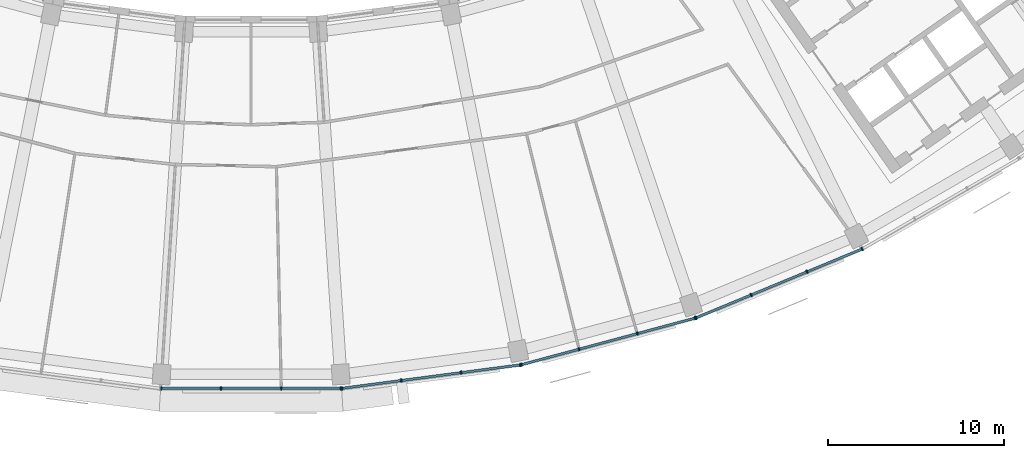
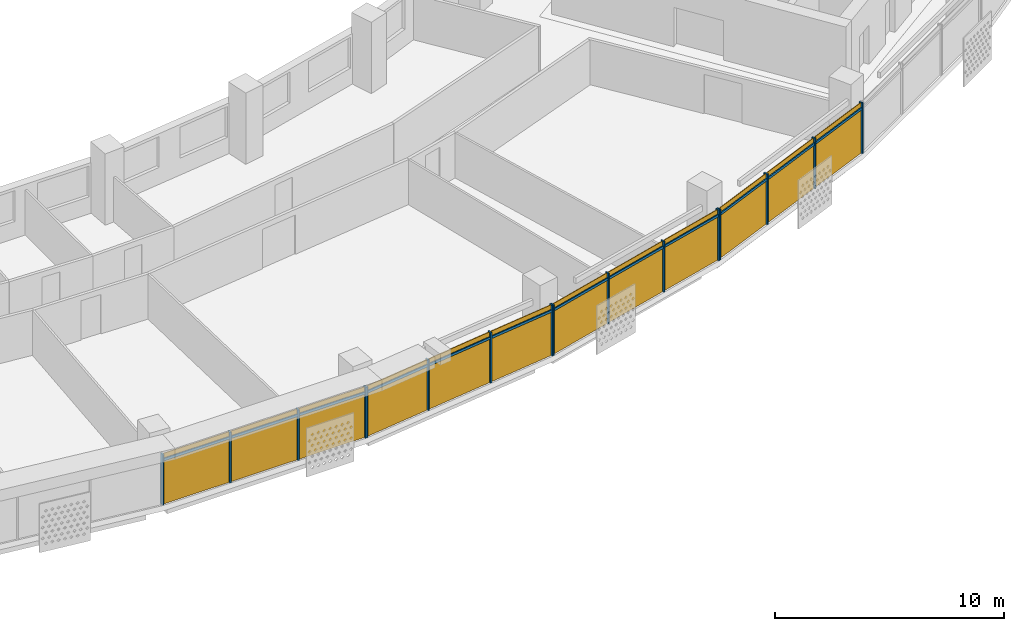
# One storey, part 20 of 29: 28 members, 4 curtain walls.
"""IFC4 building model written with IfcOpenShell, lengths in metres."""

from ifc_helpers import new_model, si_unit, direction, frame, origin, origin_2d, place, context, subcontext, project, spatial, rectangle, extrude, material, material_profile, profile_set, type_object, element, aggregate, save


model = new_model("IFC4")

# Units and contexts
model_context = context("Model", 3, precision=1e-05, world=origin(), true_north=direction((0.0, 1.0)))
body_context = subcontext(model_context, "Body", "Model", "MODEL_VIEW")
ifc_project = project(units=[si_unit("LENGTHUNIT", "METRE"), si_unit("AREAUNIT", "SQUARE_METRE"), si_unit("VOLUMEUNIT", "CUBIC_METRE"), si_unit("PLANEANGLEUNIT", "RADIAN"), si_unit("MASSUNIT", "GRAM", prefix="KILO")], contexts=[model_context])

# Member
ifc_material = material(Name="Aluminium 6063-T6 anodised", Category="aluminium")
ifc_material_profile_1 = material_profile(ifc_material, rectangle(XDim=0.199951171875, YDim=0.070068359375, at=origin_2d()))
ifc_profile_set_1 = profile_set([ifc_material_profile_1], Name="Aluminium 6063-T6 anodised")
member_type_1 = type_object("IfcMemberType", Name="Mullion 70 x 200 aluminium", PredefinedType="MULLION", material=ifc_profile_set_1)
site_placement = place(None, origin())
building_placement = place(site_placement, origin())
storey_placement = place(building_placement, frame((0.0, 0.0, 207.5)))
member_1_placement = place(storey_placement, frame((-5.10888671875, -78.381591796875, 0.0), z_axis=(0.0, 0.0, 1.0), x_axis=(0.0, 1.0, 0.0)))
member_1 = element("IfcMember", 1, at=member_1_placement, type_object=member_type_1, Name="e-cw1-L49-out08/M00", PredefinedType="MULLION", context=body_context, shape_type="SweptSolid", body=[
    extrude(rectangle(XDim=0.199951171875, YDim=0.070068359375, at=origin_2d()), origin(), (0.0, 0.0, 1.0), 2.699951171875),
])

member_2_placement = place(storey_placement, frame((-1.714599609375, -78.381591796875, 0.0), z_axis=(0.0, 0.0, 1.0), x_axis=(0.0, 1.0, 0.0)))
member_2 = element("IfcMember", 2, at=member_2_placement, type_object=member_type_1, Name="e-cw1-L49-out08/M01", PredefinedType="MULLION", context=body_context, shape_type="SweptSolid", body=[
    extrude(rectangle(XDim=0.199951171875, YDim=0.070068359375, at=origin_2d()), origin(), (0.0, 0.0, 1.0), 2.699951171875),
])

member_3_placement = place(storey_placement, frame((1.714599609375, -78.381591796875, 0.0), z_axis=(0.0, 0.0, 1.0), x_axis=(0.0, 1.0, 0.0)))
member_3 = element("IfcMember", 3, at=member_3_placement, type_object=member_type_1, Name="e-cw1-L49-out08/M02", PredefinedType="MULLION", context=body_context, shape_type="SweptSolid", body=[
    extrude(rectangle(XDim=0.199951171875, YDim=0.070068359375, at=origin_2d()), origin(), (0.0, 0.0, 1.0), 2.699951171875),
])

member_4_placement = place(storey_placement, frame((5.10888671875, -78.381591796875, 0.0), z_axis=(0.0, 0.0, 1.0), x_axis=(0.0, 1.0, 0.0)))
member_4 = element("IfcMember", 4, at=member_4_placement, type_object=member_type_1, Name="e-cw1-L49-out08/M03", PredefinedType="MULLION", context=body_context, shape_type="SweptSolid", body=[
    extrude(rectangle(XDim=0.199951171875, YDim=0.070068359375, at=origin_2d()), origin(), (0.0, 0.0, 1.0), 2.699951171875),
])

member_5_placement = place(storey_placement, frame((5.16552734375, -78.3779296875, 0.0), z_axis=(0.0, 0.0, 1.0), x_axis=(-0.13052619222, 0.991444861374, 0.0)))
member_5 = element("IfcMember", 5, at=member_5_placement, type_object=member_type_1, Name="e-cw1-L49-out09/M00", PredefinedType="MULLION", context=body_context, shape_type="SweptSolid", body=[
    extrude(rectangle(XDim=0.199951171875, YDim=0.070068359375, at=origin_2d()), origin(), (0.0, 0.0, 1.0), 2.699951171875),
])

member_6_placement = place(storey_placement, frame((8.53076171875, -77.934814453125, 0.0), z_axis=(0.0, 0.0, 1.0), x_axis=(-0.13052619222, 0.991444861374, 0.0)))
member_6 = element("IfcMember", 6, at=member_6_placement, type_object=member_type_1, Name="e-cw1-L49-out09/M01", PredefinedType="MULLION", context=body_context, shape_type="SweptSolid", body=[
    extrude(rectangle(XDim=0.199951171875, YDim=0.070068359375, at=origin_2d()), origin(), (0.0, 0.0, 1.0), 2.699951171875),
])

member_7_placement = place(storey_placement, frame((11.930908203125, -77.4873046875, 0.0), z_axis=(0.0, 0.0, 1.0), x_axis=(-0.13052619222, 0.991444861374, 0.0)))
member_7 = element("IfcMember", 7, at=member_7_placement, type_object=member_type_1, Name="e-cw1-L49-out09/M02", PredefinedType="MULLION", context=body_context, shape_type="SweptSolid", body=[
    extrude(rectangle(XDim=0.199951171875, YDim=0.070068359375, at=origin_2d()), origin(), (0.0, 0.0, 1.0), 2.699951171875),
])

member_8_placement = place(storey_placement, frame((15.296142578125, -77.044189453125, 0.0), z_axis=(0.0, 0.0, 1.0), x_axis=(-0.13052619222, 0.991444861374, 0.0)))
member_8 = element("IfcMember", 8, at=member_8_placement, type_object=member_type_1, Name="e-cw1-L49-out09/M03", PredefinedType="MULLION", context=body_context, shape_type="SweptSolid", body=[
    extrude(rectangle(XDim=0.199951171875, YDim=0.070068359375, at=origin_2d()), origin(), (0.0, 0.0, 1.0), 2.699951171875),
])

member_9_placement = place(storey_placement, frame((15.351806640625, -77.033203125, 0.0), z_axis=(0.0, 0.0, 1.0), x_axis=(-0.258819045103, 0.965925826289, 0.0)))
member_9 = element("IfcMember", 9, at=member_9_placement, type_object=member_type_1, Name="e-cw1-L49-out10/M00", PredefinedType="MULLION", context=body_context, shape_type="SweptSolid", body=[
    extrude(rectangle(XDim=0.199951171875, YDim=0.070068359375, at=origin_2d()), origin(), (0.0, 0.0, 1.0), 2.699951171875),
])

member_10_placement = place(storey_placement, frame((18.63037109375, -76.154541015625, 0.0), z_axis=(0.0, 0.0, 1.0), x_axis=(-0.258819045103, 0.965925826289, 0.0)))
member_10 = element("IfcMember", 10, at=member_10_placement, type_object=member_type_1, Name="e-cw1-L49-out10/M01", PredefinedType="MULLION", context=body_context, shape_type="SweptSolid", body=[
    extrude(rectangle(XDim=0.199951171875, YDim=0.070068359375, at=origin_2d()), origin(), (0.0, 0.0, 1.0), 2.699951171875),
])

member_11_placement = place(storey_placement, frame((21.94287109375, -75.26708984375, 0.0), z_axis=(0.0, 0.0, 1.0), x_axis=(-0.258819045103, 0.965925826289, 0.0)))
member_11 = element("IfcMember", 11, at=member_11_placement, type_object=member_type_1, Name="e-cw1-L49-out10/M02", PredefinedType="MULLION", context=body_context, shape_type="SweptSolid", body=[
    extrude(rectangle(XDim=0.199951171875, YDim=0.070068359375, at=origin_2d()), origin(), (0.0, 0.0, 1.0), 2.699951171875),
])

member_12_placement = place(storey_placement, frame((25.221435546875, -74.388427734375, 0.0), z_axis=(0.0, 0.0, 1.0), x_axis=(-0.258819045103, 0.965925826289, 0.0)))
member_12 = element("IfcMember", 12, at=member_12_placement, type_object=member_type_1, Name="e-cw1-L49-out10/M03", PredefinedType="MULLION", context=body_context, shape_type="SweptSolid", body=[
    extrude(rectangle(XDim=0.199951171875, YDim=0.070068359375, at=origin_2d()), origin(), (0.0, 0.0, 1.0), 2.699951171875),
])

member_13_placement = place(storey_placement, frame((25.275390625, -74.370361328125, 0.0), z_axis=(0.0, 0.0, 1.0), x_axis=(-0.382683432365, 0.923879532511, 0.0)))
member_13 = element("IfcMember", 13, at=member_13_placement, type_object=member_type_1, Name="e-cw1-L49-out11/M00", PredefinedType="MULLION", context=body_context, shape_type="SweptSolid", body=[
    extrude(rectangle(XDim=0.199951171875, YDim=0.070068359375, at=origin_2d()), origin(), (0.0, 0.0, 1.0), 2.699951171875),
])

member_14_placement = place(storey_placement, frame((28.4111328125, -73.0712890625, 0.0), z_axis=(0.0, 0.0, 1.0), x_axis=(-0.382683432365, 0.923879532511, 0.0)))
member_14 = element("IfcMember", 14, at=member_14_placement, type_object=member_type_1, Name="e-cw1-L49-out11/M01", PredefinedType="MULLION", context=body_context, shape_type="SweptSolid", body=[
    extrude(rectangle(XDim=0.199951171875, YDim=0.070068359375, at=origin_2d()), origin(), (0.0, 0.0, 1.0), 2.699951171875),
])

member_15_placement = place(storey_placement, frame((31.57958984375, -71.759033203125, 0.0), z_axis=(0.0, 0.0, 1.0), x_axis=(-0.382683432365, 0.923879532511, 0.0)))
member_15 = element("IfcMember", 15, at=member_15_placement, type_object=member_type_1, Name="e-cw1-L49-out11/M02", PredefinedType="MULLION", context=body_context, shape_type="SweptSolid", body=[
    extrude(rectangle(XDim=0.199951171875, YDim=0.070068359375, at=origin_2d()), origin(), (0.0, 0.0, 1.0), 2.699951171875),
])

member_16_placement = place(storey_placement, frame((34.71533203125, -70.4599609375, 0.0), z_axis=(0.0, 0.0, 1.0), x_axis=(-0.382683432365, 0.923879532511, 0.0)))
member_16 = element("IfcMember", 16, at=member_16_placement, type_object=member_type_1, Name="e-cw1-L49-out11/M03", PredefinedType="MULLION", context=body_context, shape_type="SweptSolid", body=[
    extrude(rectangle(XDim=0.199951171875, YDim=0.070068359375, at=origin_2d()), origin(), (0.0, 0.0, 1.0), 2.699951171875),
])

ifc_material_profile_2 = material_profile(ifc_material, rectangle(XDim=0.139892578125, YDim=0.1201171875, at=origin_2d()))
ifc_profile_set_2 = profile_set([ifc_material_profile_2], Name="Aluminium 6063-T6 anodised")
member_type_2 = type_object("IfcMemberType", Name="Transom 120 x 140 aluminium", PredefinedType="USERDEFINED", material=ifc_profile_set_2)
member_17_placement = place(storey_placement, frame((-5.073974609375, -78.381591796875, 2.39990234375), z_axis=(1.0, 0.0, 0.0), x_axis=(0.0, 1.0, 0.0)))
member_17 = element("IfcMember", 17, at=member_17_placement, type_object=member_type_2, Name="e-cw1-L49-out08/T00", ObjectType="TRANSOM", PredefinedType="USERDEFINED", context=body_context, shape_type="SweptSolid", body=[
    extrude(rectangle(XDim=0.139892578125, YDim=0.1201171875, at=origin_2d()), origin(), (0.0, 0.0, 1.0), 3.32421875),
])

member_18_placement = place(storey_placement, frame((-1.6796875, -78.381591796875, 2.39990234375), z_axis=(1.0, 0.0, 0.0), x_axis=(0.0, 1.0, 0.0)))
member_18 = element("IfcMember", 18, at=member_18_placement, type_object=member_type_2, Name="e-cw1-L49-out08/T01", ObjectType="TRANSOM", PredefinedType="USERDEFINED", context=body_context, shape_type="SweptSolid", body=[
    extrude(rectangle(XDim=0.139892578125, YDim=0.1201171875, at=origin_2d()), origin(), (0.0, 0.0, 1.0), 3.359375),
])

member_19_placement = place(storey_placement, frame((1.749755859375, -78.381591796875, 2.39990234375), z_axis=(1.0, 0.0, 0.0), x_axis=(0.0, 1.0, 0.0)))
member_19 = element("IfcMember", 19, at=member_19_placement, type_object=member_type_2, Name="e-cw1-L49-out08/T02", ObjectType="TRANSOM", PredefinedType="USERDEFINED", context=body_context, shape_type="SweptSolid", body=[
    extrude(rectangle(XDim=0.139892578125, YDim=0.1201171875, at=origin_2d()), origin(), (0.0, 0.0, 1.0), 3.32421875),
])

member_20_placement = place(storey_placement, frame((5.2001953125, -78.373291015625, 2.39990234375), z_axis=(0.991447795146, 0.130503906072, 0.0), x_axis=(-0.130503906072, 0.991447795146, 0.0)))
member_20 = element("IfcMember", 20, at=member_20_placement, type_object=member_type_2, Name="e-cw1-L49-out09/T00", ObjectType="TRANSOM", PredefinedType="USERDEFINED", context=body_context, shape_type="SweptSolid", body=[
    extrude(rectangle(XDim=0.139892578125, YDim=0.1201171875, at=origin_2d()), origin(), (0.0, 0.0, 1.0), 3.32421875),
])

member_21_placement = place(storey_placement, frame((8.565673828125, -77.93017578125, 2.39990234375), z_axis=(0.991444893088, 0.130525951326, 0.0), x_axis=(-0.130525951326, 0.991444893088, 0.0)))
member_21 = element("IfcMember", 21, at=member_21_placement, type_object=member_type_2, Name="e-cw1-L49-out09/T01", ObjectType="TRANSOM", PredefinedType="USERDEFINED", context=body_context, shape_type="SweptSolid", body=[
    extrude(rectangle(XDim=0.139892578125, YDim=0.1201171875, at=origin_2d()), origin(), (0.0, 0.0, 1.0), 3.359375),
])

member_22_placement = place(storey_placement, frame((11.965576171875, -77.482666015625, 2.39990234375), z_axis=(0.991447795146, 0.130503906072, 0.0), x_axis=(-0.130503906072, 0.991447795146, 0.0)))
member_22 = element("IfcMember", 22, at=member_22_placement, type_object=member_type_2, Name="e-cw1-L49-out09/T02", ObjectType="TRANSOM", PredefinedType="USERDEFINED", context=body_context, shape_type="SweptSolid", body=[
    extrude(rectangle(XDim=0.139892578125, YDim=0.1201171875, at=origin_2d()), origin(), (0.0, 0.0, 1.0), 3.32421875),
])

member_23_placement = place(storey_placement, frame((15.385498046875, -77.024169921875, 2.39990234375), z_axis=(0.965913629723, 0.258864559019, 0.0), x_axis=(-0.258864559019, 0.965913629723, 0.0)))
member_23 = element("IfcMember", 23, at=member_23_placement, type_object=member_type_2, Name="e-cw1-L49-out10/T00", ObjectType="TRANSOM", PredefinedType="USERDEFINED", context=body_context, shape_type="SweptSolid", body=[
    extrude(rectangle(XDim=0.139892578125, YDim=0.1201171875, at=origin_2d()), origin(), (0.0, 0.0, 1.0), 3.324462890625),
])

member_24_placement = place(storey_placement, frame((18.664306640625, -76.1455078125, 2.39990234375), z_axis=(0.965931507774, 0.258797840582, 0.0), x_axis=(-0.258797840582, 0.965931507774, 0.0)))
member_24 = element("IfcMember", 24, at=member_24_placement, type_object=member_type_2, Name="e-cw1-L49-out10/T01", ObjectType="TRANSOM", PredefinedType="USERDEFINED", context=body_context, shape_type="SweptSolid", body=[
    extrude(rectangle(XDim=0.139892578125, YDim=0.1201171875, at=origin_2d()), origin(), (0.0, 0.0, 1.0), 3.359375),
])

member_25_placement = place(storey_placement, frame((21.976806640625, -75.258056640625, 2.39990234375), z_axis=(0.965908708139, 0.25888292246, 0.0), x_axis=(-0.25888292246, 0.965908708139, 0.0)))
member_25 = element("IfcMember", 25, at=member_25_placement, type_object=member_type_2, Name="e-cw1-L49-out10/T02", ObjectType="TRANSOM", PredefinedType="USERDEFINED", context=body_context, shape_type="SweptSolid", body=[
    extrude(rectangle(XDim=0.139892578125, YDim=0.1201171875, at=origin_2d()), origin(), (0.0, 0.0, 1.0), 3.32421875),
])

member_26_placement = place(storey_placement, frame((25.3076171875, -74.35693359375, 2.39990234375), z_axis=(0.923874511193, 0.382695554676, 0.0), x_axis=(-0.382695554676, 0.923874511193, 0.0)))
member_26 = element("IfcMember", 26, at=member_26_placement, type_object=member_type_2, Name="e-cw1-L49-out11/T00", ObjectType="TRANSOM", PredefinedType="USERDEFINED", context=body_context, shape_type="SweptSolid", body=[
    extrude(rectangle(XDim=0.139892578125, YDim=0.1201171875, at=origin_2d()), origin(), (0.0, 0.0, 1.0), 3.324462890625),
])

member_27_placement = place(storey_placement, frame((28.443603515625, -73.057861328125, 2.39990234375), z_axis=(0.923891938088, 0.38265348128, 0.0), x_axis=(-0.38265348128, 0.923891938088, 0.0)))
member_27 = element("IfcMember", 27, at=member_27_placement, type_object=member_type_2, Name="e-cw1-L49-out11/T01", ObjectType="TRANSOM", PredefinedType="USERDEFINED", context=body_context, shape_type="SweptSolid", body=[
    extrude(rectangle(XDim=0.139892578125, YDim=0.1201171875, at=origin_2d()), origin(), (0.0, 0.0, 1.0), 3.359130859375),
])

member_28_placement = place(storey_placement, frame((31.61181640625, -71.74560546875, 2.39990234375), z_axis=(0.923874511193, 0.382695554676, 0.0), x_axis=(-0.382695554676, 0.923874511193, 0.0)))
member_28 = element("IfcMember", 28, at=member_28_placement, type_object=member_type_2, Name="e-cw1-L49-out11/T02", ObjectType="TRANSOM", PredefinedType="USERDEFINED", context=body_context, shape_type="SweptSolid", body=[
    extrude(rectangle(XDim=0.139892578125, YDim=0.1201171875, at=origin_2d()), origin(), (0.0, 0.0, 1.0), 3.324462890625),
])

# Site, building, storey
site = spatial("IfcSite", under=ifc_project, at=site_placement, CompositionType="ELEMENT")
building = spatial("IfcBuilding", under=site, at=building_placement, Name="Qamariyya Broadcast Tower", CompositionType="ELEMENT")
storey = spatial("IfcBuildingStorey", under=building, at=storey_placement, Name="L49", CompositionType="ELEMENT", Elevation=207.5)

# Curtain wall
curtain_wall_type = type_object("IfcCurtainWallType", Name="Unitised curtain wall, anodised aluminium", PredefinedType="NOTDEFINED", material=ifc_material)
curtain_wall_1_placement = place(storey_placement, origin())
curtain_wall_1 = element("IfcCurtainWall", 29, at=curtain_wall_1_placement, inside=storey, type_object=curtain_wall_type, Name="e-cw1-L49-out08", PredefinedType="NOTDEFINED", context=body_context, shape_type="SweptSolid", body=[
    extrude(rectangle(XDim=3.324462890625, YDim=0.031982421875, at=origin_2d()), frame((-3.411865234375, -78.381591796875, 0.0), x_axis=(1.0, 0.0, 0.0)), (0.0, 0.0, 1.0), 2.340087890625),
    extrude(rectangle(XDim=3.324462890625, YDim=0.031982421875, at=origin_2d()), frame((-3.411865234375, -78.381591796875, 2.4599609375), x_axis=(1.0, 0.0, 0.0)), (0.0, 0.0, 1.0), 0.239990234375),
    extrude(rectangle(XDim=3.359375, YDim=0.031982421875, at=origin_2d()), frame((0.0, -78.381591796875, 0.0), x_axis=(1.0, 0.0, 0.0)), (0.0, 0.0, 1.0), 2.340087890625),
    extrude(rectangle(XDim=3.359375, YDim=0.031982421875, at=origin_2d()), frame((0.0, -78.381591796875, 2.4599609375), x_axis=(1.0, 0.0, 0.0)), (0.0, 0.0, 1.0), 0.239990234375),
    extrude(rectangle(XDim=3.324462890625, YDim=0.031982421875, at=origin_2d()), frame((3.411865234375, -78.381591796875, 0.0), x_axis=(1.0, 0.0, 0.0)), (0.0, 0.0, 1.0), 2.340087890625),
    extrude(rectangle(XDim=3.324462890625, YDim=0.031982421875, at=origin_2d()), frame((3.411865234375, -78.381591796875, 2.4599609375), x_axis=(1.0, 0.0, 0.0)), (0.0, 0.0, 1.0), 0.239990234375),
])

aggregate(curtain_wall_1, [member_1, member_2, member_3, member_4, member_17, member_18, member_19])

curtain_wall_2_placement = place(storey_placement, origin())
curtain_wall_2 = element("IfcCurtainWall", 30, at=curtain_wall_2_placement, inside=storey, type_object=curtain_wall_type, Name="e-cw1-L49-out09", PredefinedType="NOTDEFINED", context=body_context, shape_type="SweptSolid", body=[
    extrude(rectangle(XDim=3.32421875, YDim=0.031982421875, at=origin_2d()), frame((6.84814453125, -78.156494140625, 0.0), x_axis=(0.991442741341, 0.130542294457, 0.0)), (0.0, 0.0, 1.0), 2.340087890625),
    extrude(rectangle(XDim=3.32421875, YDim=0.031982421875, at=origin_2d()), frame((6.84814453125, -78.156494140625, 2.4599609375), x_axis=(0.991442741341, 0.130542294457, 0.0)), (0.0, 0.0, 1.0), 0.239990234375),
    extrude(rectangle(XDim=3.359375, YDim=0.031982421875, at=origin_2d()), frame((10.23095703125, -77.7109375, 0.0), x_axis=(0.991442741341, 0.130542294457, 0.0)), (0.0, 0.0, 1.0), 2.340087890625),
    extrude(rectangle(XDim=3.359375, YDim=0.031982421875, at=origin_2d()), frame((10.23095703125, -77.7109375, 2.4599609375), x_axis=(0.991442741341, 0.130542294457, 0.0)), (0.0, 0.0, 1.0), 0.239990234375),
    extrude(rectangle(XDim=3.32421875, YDim=0.031982421875, at=origin_2d()), frame((13.613525390625, -77.265625, 0.0), x_axis=(0.991442741341, 0.130542294457, 0.0)), (0.0, 0.0, 1.0), 2.340087890625),
    extrude(rectangle(XDim=3.32421875, YDim=0.031982421875, at=origin_2d()), frame((13.613525390625, -77.265625, 2.4599609375), x_axis=(0.991442741341, 0.130542294457, 0.0)), (0.0, 0.0, 1.0), 0.239990234375),
])

aggregate(curtain_wall_2, [member_5, member_6, member_7, member_8, member_20, member_21, member_22])

curtain_wall_3_placement = place(storey_placement, origin())
curtain_wall_3 = element("IfcCurtainWall", 31, at=curtain_wall_3_placement, inside=storey, type_object=curtain_wall_type, Name="e-cw1-L49-out10", PredefinedType="NOTDEFINED", context=body_context, shape_type="SweptSolid", body=[
    extrude(rectangle(XDim=3.324462890625, YDim=0.031982421875, at=origin_2d()), frame((16.990966796875, -76.593994140625, 0.0), x_axis=(0.965923476514, 0.258827814424, 0.0)), (0.0, 0.0, 1.0), 2.340087890625),
    extrude(rectangle(XDim=3.324462890625, YDim=0.031982421875, at=origin_2d()), frame((16.990966796875, -76.593994140625, 2.4599609375), x_axis=(0.965923476514, 0.258827814424, 0.0)), (0.0, 0.0, 1.0), 0.239990234375),
    extrude(rectangle(XDim=3.359375, YDim=0.031982421875, at=origin_2d()), frame((20.28662109375, -75.7109375, 0.0), x_axis=(0.965923476514, 0.258827814424, 0.0)), (0.0, 0.0, 1.0), 2.340087890625),
    extrude(rectangle(XDim=3.359375, YDim=0.031982421875, at=origin_2d()), frame((20.28662109375, -75.7109375, 2.4599609375), x_axis=(0.965923476514, 0.258827814424, 0.0)), (0.0, 0.0, 1.0), 0.239990234375),
    extrude(rectangle(XDim=3.324462890625, YDim=0.031982421875, at=origin_2d()), frame((23.582275390625, -74.82763671875, 0.0), x_axis=(0.965923476514, 0.258827814424, 0.0)), (0.0, 0.0, 1.0), 2.340087890625),
    extrude(rectangle(XDim=3.324462890625, YDim=0.031982421875, at=origin_2d()), frame((23.582275390625, -74.82763671875, 2.4599609375), x_axis=(0.965923476514, 0.258827814424, 0.0)), (0.0, 0.0, 1.0), 0.239990234375),
])

aggregate(curtain_wall_3, [member_9, member_10, member_11, member_12, member_23, member_24, member_25])

curtain_wall_4_placement = place(storey_placement, origin())
curtain_wall_4 = element("IfcCurtainWall", 32, at=curtain_wall_4_placement, inside=storey, type_object=curtain_wall_type, Name="e-cw1-L49-out11", PredefinedType="NOTDEFINED", context=body_context, shape_type="SweptSolid", body=[
    extrude(rectangle(XDim=3.32421875, YDim=0.031982421875, at=origin_2d()), frame((26.84326171875, -73.720703125, 0.0), x_axis=(0.923880895135, 0.382680142683, 0.0)), (0.0, 0.0, 1.0), 2.340087890625),
    extrude(rectangle(XDim=3.32421875, YDim=0.031982421875, at=origin_2d()), frame((26.84326171875, -73.720703125, 2.4599609375), x_axis=(0.923880895135, 0.382680142683, 0.0)), (0.0, 0.0, 1.0), 0.239990234375),
    extrude(rectangle(XDim=3.359375, YDim=0.031982421875, at=origin_2d()), frame((29.995361328125, -72.4150390625, 0.0), x_axis=(0.923880895135, 0.382680142683, 0.0)), (0.0, 0.0, 1.0), 2.340087890625),
    extrude(rectangle(XDim=3.359375, YDim=0.031982421875, at=origin_2d()), frame((29.995361328125, -72.4150390625, 2.4599609375), x_axis=(0.923880895135, 0.382680142683, 0.0)), (0.0, 0.0, 1.0), 0.239990234375),
    extrude(rectangle(XDim=3.32421875, YDim=0.031982421875, at=origin_2d()), frame((33.1474609375, -71.109375, 0.0), x_axis=(0.923880895135, 0.382680142683, 0.0)), (0.0, 0.0, 1.0), 2.340087890625),
    extrude(rectangle(XDim=3.32421875, YDim=0.031982421875, at=origin_2d()), frame((33.1474609375, -71.109375, 2.4599609375), x_axis=(0.923880895135, 0.382680142683, 0.0)), (0.0, 0.0, 1.0), 0.239990234375),
])

aggregate(curtain_wall_4, [member_13, member_14, member_15, member_16, member_26, member_27, member_28])

save(model, "model.ifc")
